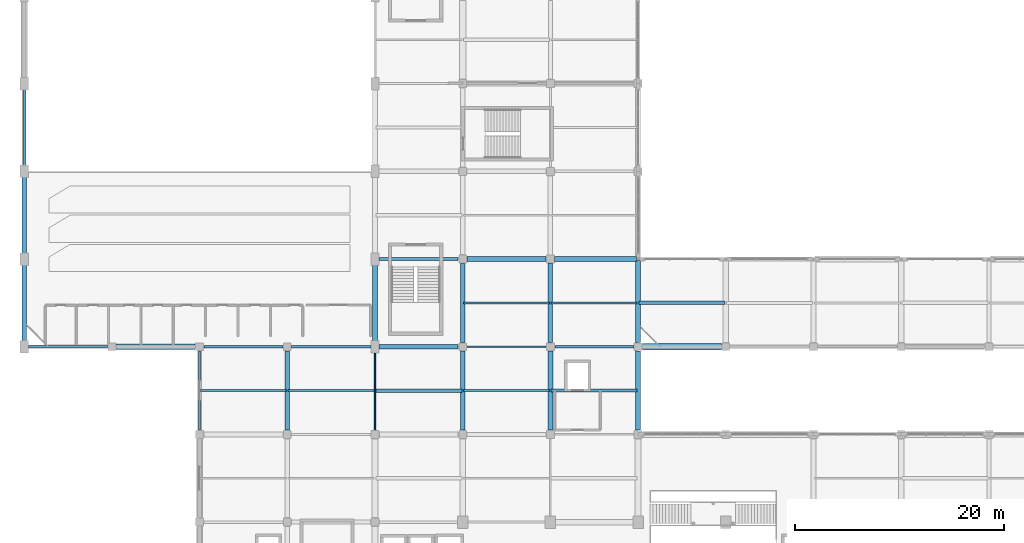
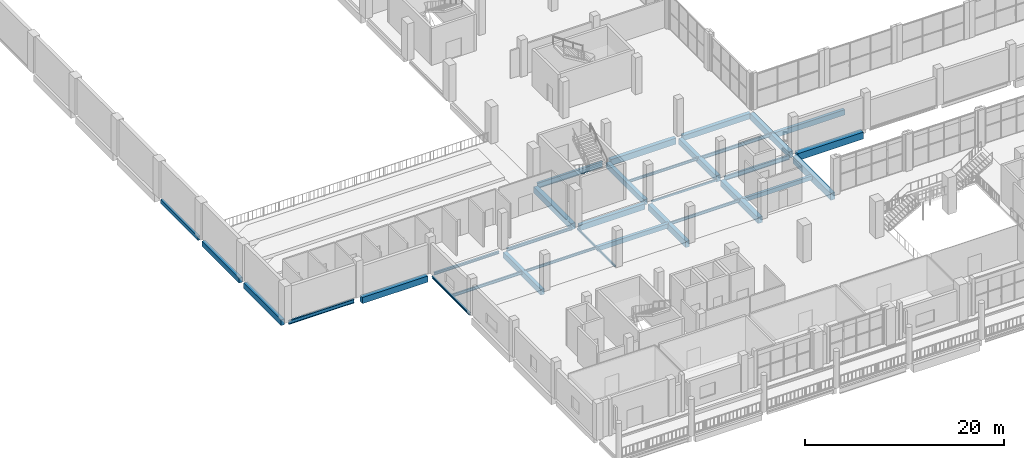
# One storey, part 19 of 75: 32 beams.
"""IFC4 building model written with IfcOpenShell, lengths in metres."""

from ifc_helpers import new_model, si_unit, derived_unit, direction, frame, origin, origin_2d, place, context, subcontext, project, spatial, rectangle, hollow_rectangle, i_section, extrude, material, material_profile, profile_set, type_object, element, save


model = new_model("IFC4")

# Units and contexts
model_context = context("Model", 3, precision=1e-05, world=origin(), true_north=direction((0.0, 1.0)))
body_context = subcontext(model_context, "Body", "Model", "MODEL_VIEW")
ifc_project = project(units=[si_unit("LENGTHUNIT", "METRE"), si_unit("AREAUNIT", "SQUARE_METRE"), si_unit("VOLUMEUNIT", "CUBIC_METRE"), si_unit("PLANEANGLEUNIT", "RADIAN"), si_unit("MASSUNIT", "GRAM", prefix="KILO"), derived_unit("THERMALTRANSMITTANCEUNIT", [(si_unit("POWERUNIT", "WATT"), 1), (si_unit("LENGTHUNIT", "METRE"), -2), (si_unit("THERMODYNAMICTEMPERATUREUNIT", "KELVIN"), -1)])], contexts=[model_context])

# Site, building, storey
site_placement = place(None, origin())
site = spatial("IfcSite", under=ifc_project, at=site_placement, CompositionType="ELEMENT")
building_placement = place(site_placement, origin())
building = spatial("IfcBuilding", under=site, at=building_placement, Name="Barrovel Congress Hotel", CompositionType="ELEMENT")
storey_placement = place(building_placement, frame((0.0, 0.0, 5.39990234375)))
storey = spatial("IfcBuildingStorey", under=building, at=storey_placement, Name="L01", CompositionType="ELEMENT", Elevation=5.39990234375)

# Beams
ifc_material_1 = material(Name="Concrete C40", Category="concrete")
ifc_material_profile_1 = material_profile(ifc_material_1, rectangle(XDim=0.25, YDim=0.5, at=origin_2d()), Name="RC250x500")
ifc_profile_set_1 = profile_set([ifc_material_profile_1], Name="Concrete C40")
beam_type_1 = type_object("IfcBeamType", Name="BM-RC250x500", PredefinedType="SPANDREL", material=ifc_profile_set_1)
beam_1_placement = place(storey_placement, frame((0.0, 55.050048828125, -0.510009765625), z_axis=(0.0, 1.0, 0.0), x_axis=(-1.0, 0.0, 0.0)))
element("IfcBeam", 1, at=beam_1_placement, inside=storey, type_object=beam_type_1, Name="BMY:L01:0.0:54.6-63.0", PredefinedType="SPANDREL", context=body_context, shape_type="SweptSolid", body=[
    extrude(rectangle(XDim=0.25, YDim=0.5, at=origin_2d()), origin(), (0.0, 0.0, 1.0), 7.5),
])
ifc_material_profile_2 = material_profile(ifc_material_1, rectangle(XDim=0.300048828125, YDim=0.5, at=origin_2d()), Name="RC300x500")
ifc_profile_set_2 = profile_set([ifc_material_profile_2], Name="Concrete C40")
beam_type_2 = type_object("IfcBeamType", Name="BM-RC300x500", PredefinedType="JOIST", material=ifc_profile_set_2)
beam_2_placement = place(storey_placement, frame((50.47998046875, 33.60009765625, -0.510009765625), z_axis=(1.0, 0.0, 0.0), x_axis=(0.0, 1.0, 0.0)))
element("IfcBeam", 2, at=beam_2_placement, inside=storey, type_object=beam_type_2, Name="JST:L01:50.4:33.6", PredefinedType="JOIST", context=body_context, shape_type="SweptSolid", body=[
    extrude(rectangle(XDim=0.300048828125, YDim=0.5, at=origin_2d()), origin(), (0.0, 0.0, 1.0), 8.239990234375),
])
ifc_material_profile_3 = material_profile(ifc_material_1, rectangle(XDim=0.35009765625, YDim=0.550048828125, at=origin_2d()), Name="RC350x550")
ifc_profile_set_3 = profile_set([ifc_material_profile_3], Name="Concrete C40")
beam_type_3 = type_object("IfcBeamType", Name="BM-RC350x550", PredefinedType="JOIST", material=ifc_profile_set_3)
beam_3_placement = place(storey_placement, frame((33.679931640625, 33.60009765625, -0.534912109375), z_axis=(1.0, 0.0, 0.0), x_axis=(0.0, 1.0, 0.0)))
element("IfcBeam", 3, at=beam_3_placement, inside=storey, type_object=beam_type_3, Name="JST:L01:33.6:33.6", PredefinedType="JOIST", context=body_context, shape_type="SweptSolid", body=[
    extrude(rectangle(XDim=0.35009765625, YDim=0.550048828125, at=origin_2d()), origin(), (0.0, 0.0, 1.0), 8.239990234375),
])
ifc_material_profile_4 = material_profile(ifc_material_1, rectangle(XDim=0.35009765625, YDim=0.64990234375, at=origin_2d()), Name="RC350x650")
ifc_profile_set_4 = profile_set([ifc_material_profile_4], Name="Concrete C40")
beam_type_4 = type_object("IfcBeamType", Name="BM-RC350x650", PredefinedType="JOIST", material=ifc_profile_set_4)
beam_4_placement = place(storey_placement, frame((58.8798828125, 42.0, -0.5849609375), z_axis=(1.0, 0.0, 0.0), x_axis=(0.0, 1.0, 0.0)))
element("IfcBeam", 4, at=beam_4_placement, inside=storey, type_object=beam_type_4, Name="JST:L01:58.8:42.0", PredefinedType="JOIST", context=body_context, shape_type="SweptSolid", body=[
    extrude(rectangle(XDim=0.35009765625, YDim=0.64990234375, at=origin_2d()), origin(), (0.0, 0.0, 1.0), 8.240234375),
])
ifc_material_profile_5 = material_profile(ifc_material_1, rectangle(XDim=0.39990234375, YDim=0.60009765625, at=origin_2d()), Name="RC400x600")
ifc_profile_set_5 = profile_set([ifc_material_profile_5], Name="Concrete C40")
beam_type_5 = type_object("IfcBeamType", Name="BM-RC400x600", PredefinedType="BEAM", material=ifc_profile_set_5)
beam_5_placement = place(storey_placement, frame((0.0, 46.64990234375, -0.559814453125), z_axis=(0.0, 1.0, 0.0), x_axis=(-1.0, 0.0, 0.0)))
element("IfcBeam", 5, at=beam_5_placement, inside=storey, type_object=beam_type_5, Name="BMY:L01:0.0:46.2-54.6", PredefinedType="BEAM", context=body_context, shape_type="SweptSolid", body=[
    extrude(rectangle(XDim=0.39990234375, YDim=0.60009765625, at=origin_2d()), origin(), (0.0, 0.0, 1.0), 7.5),
])
ifc_material_profile_6 = material_profile(ifc_material_1, rectangle(XDim=0.39990234375, YDim=0.699951171875, at=origin_2d()), Name="RC400x700")
ifc_profile_set_6 = profile_set([ifc_material_profile_6], Name="Concrete C40")
beam_type_6 = type_object("IfcBeamType", Name="BM-RC400x700", PredefinedType="BEAM", material=ifc_profile_set_6)
beam_6_placement = place(storey_placement, frame((34.0, 37.800048828125, -0.60986328125), z_axis=(1.0, 0.0, 0.0), x_axis=(0.0, 1.0, 0.0)))
element("IfcBeam", 6, at=beam_6_placement, inside=storey, type_object=beam_type_6, Name="BMX:L01:37.8:33.6-42.0", PredefinedType="BEAM", context=body_context, shape_type="SweptSolid", body=[
    extrude(rectangle(XDim=0.39990234375, YDim=0.699951171875, at=origin_2d()), origin(), (0.0, 0.0, 1.0), 7.574951171875),
])
beam_7_placement = place(storey_placement, frame((0.0, 38.25, -0.60986328125), z_axis=(0.0, 1.0, 0.0), x_axis=(-1.0, 0.0, 0.0)))
element("IfcBeam", 7, at=beam_7_placement, inside=storey, type_object=beam_type_6, Name="BMY:L01:0.0:37.8-46.2", PredefinedType="BEAM", context=body_context, shape_type="SweptSolid", body=[
    extrude(rectangle(XDim=0.39990234375, YDim=0.699951171875, at=origin_2d()), origin(), (0.0, 0.0, 1.0), 7.5),
])
beam_8_placement = place(storey_placement, frame((25.199951171875, 29.824951171875, -0.60986328125), z_axis=(0.0, 1.0, 0.0), x_axis=(-1.0, 0.0, 0.0)))
element("IfcBeam", 8, at=beam_8_placement, inside=storey, type_object=beam_type_6, Name="BMY:L01:25.2:29.4-37.8", PredefinedType="BEAM", context=body_context, shape_type="SweptSolid", body=[
    extrude(rectangle(XDim=0.39990234375, YDim=0.699951171875, at=origin_2d()), origin(), (0.0, 0.0, 1.0), 7.550048828125),
])
ifc_material_profile_7 = material_profile(ifc_material_1, rectangle(XDim=0.449951171875, YDim=0.64990234375, at=origin_2d()), Name="RC450x650")
ifc_profile_set_7 = profile_set([ifc_material_profile_7], Name="Concrete C40")
beam_type_7 = type_object("IfcBeamType", Name="BM-RC450x650", PredefinedType="BEAM", material=ifc_profile_set_7)
beam_9_placement = place(storey_placement, frame((50.800048828125, 46.199951171875, -0.5849609375), z_axis=(1.0, 0.0, 0.0), x_axis=(0.0, 1.0, 0.0)))
element("IfcBeam", 9, at=beam_9_placement, inside=storey, type_object=beam_type_7, Name="BMX:L01:46.2:50.4-58.8", PredefinedType="BEAM", context=body_context, shape_type="SweptSolid", body=[
    extrude(rectangle(XDim=0.449951171875, YDim=0.64990234375, at=origin_2d()), origin(), (0.0, 0.0, 1.0), 7.86328125),
])
beam_10_placement = place(storey_placement, frame((42.0, 38.22509765625, -0.5849609375), z_axis=(0.0, 1.0, 0.0), x_axis=(-1.0, 0.0, 0.0)))
element("IfcBeam", 10, at=beam_10_placement, inside=storey, type_object=beam_type_7, Name="BMY:L01:42.0:37.8-46.2", PredefinedType="BEAM", context=body_context, shape_type="SweptSolid", body=[
    extrude(rectangle(XDim=0.449951171875, YDim=0.64990234375, at=origin_2d()), origin(), (0.0, 0.0, 1.0), 7.5498046875),
])
ifc_material_profile_8 = material_profile(ifc_material_1, rectangle(XDim=0.449951171875, YDim=0.75, at=origin_2d()), Name="RC450x750")
ifc_profile_set_8 = profile_set([ifc_material_profile_8], Name="Concrete C40")
beam_type_8 = type_object("IfcBeamType", Name="BM-RC450x750", PredefinedType="BEAM", material=ifc_profile_set_8)
beam_11_placement = place(storey_placement, frame((42.425048828125, 46.199951171875, -0.635009765625), z_axis=(1.0, 0.0, 0.0), x_axis=(0.0, 1.0, 0.0)))
element("IfcBeam", 11, at=beam_11_placement, inside=storey, type_object=beam_type_8, Name="BMX:L01:46.2:42.0-50.4", PredefinedType="BEAM", context=body_context, shape_type="SweptSolid", body=[
    extrude(rectangle(XDim=0.449951171875, YDim=0.75, at=origin_2d()), origin(), (0.0, 0.0, 1.0), 7.574951171875),
])
beam_12_placement = place(storey_placement, frame((42.0, 29.824951171875, -0.635009765625), z_axis=(0.0, 1.0, 0.0), x_axis=(-1.0, 0.0, 0.0)))
element("IfcBeam", 12, at=beam_12_placement, inside=storey, type_object=beam_type_8, Name="BMY:L01:42.0:29.4-37.8", PredefinedType="BEAM", context=body_context, shape_type="SweptSolid", body=[
    extrude(rectangle(XDim=0.449951171875, YDim=0.75, at=origin_2d()), origin(), (0.0, 0.0, 1.0), 7.550048828125),
])
beam_13_placement = place(storey_placement, frame((50.39990234375, 38.22509765625, -0.635009765625), z_axis=(0.0, 1.0, 0.0), x_axis=(-1.0, 0.0, 0.0)))
element("IfcBeam", 13, at=beam_13_placement, inside=storey, type_object=beam_type_8, Name="BMY:L01:50.4:37.8-46.2", PredefinedType="BEAM", context=body_context, shape_type="SweptSolid", body=[
    extrude(rectangle(XDim=0.449951171875, YDim=0.75, at=origin_2d()), origin(), (0.0, 0.0, 1.0), 7.574951171875),
])
ifc_material_profile_9 = material_profile(ifc_material_1, rectangle(XDim=0.5, YDim=0.75, at=origin_2d()), Name="RC500x750")
ifc_profile_set_9 = profile_set([ifc_material_profile_9], Name="Concrete C40")
beam_type_9 = type_object("IfcBeamType", Name="BM-RC500x750", PredefinedType="BEAM", material=ifc_profile_set_9)
beam_14_placement = place(storey_placement, frame((8.800048828125, 37.800048828125, -0.635009765625), z_axis=(1.0, 0.0, 0.0), x_axis=(0.0, 1.0, 0.0)))
element("IfcBeam", 14, at=beam_14_placement, inside=storey, type_object=beam_type_9, Name="BMX:L01:37.8:8.4-16.8", PredefinedType="BEAM", context=body_context, shape_type="SweptSolid", body=[
    extrude(rectangle(XDim=0.5, YDim=0.75, at=origin_2d()), origin(), (0.0, 0.0, 1.0), 7.574951171875),
])
beam_15_placement = place(storey_placement, frame((33.60009765625, 38.25, -0.635009765625), z_axis=(0.0, 1.0, 0.0), x_axis=(-1.0, 0.0, 0.0)))
element("IfcBeam", 15, at=beam_15_placement, inside=storey, type_object=beam_type_9, Name="BMY:L01:33.6:37.8-46.2", PredefinedType="BEAM", context=body_context, shape_type="SweptSolid", body=[
    extrude(rectangle(XDim=0.5, YDim=0.75, at=origin_2d()), origin(), (0.0, 0.0, 1.0), 7.5),
])
beam_16_placement = place(storey_placement, frame((50.39990234375, 29.824951171875, -0.635009765625), z_axis=(0.0, 1.0, 0.0), x_axis=(-1.0, 0.0, 0.0)))
element("IfcBeam", 16, at=beam_16_placement, inside=storey, type_object=beam_type_9, Name="BMY:L01:50.4:29.4-37.8", PredefinedType="BEAM", context=body_context, shape_type="SweptSolid", body=[
    extrude(rectangle(XDim=0.5, YDim=0.75, at=origin_2d()), origin(), (0.0, 0.0, 1.0), 7.550048828125),
])
beam_17_placement = place(storey_placement, frame((58.800048828125, 38.199951171875, -0.635009765625), z_axis=(0.0, 1.0, 0.0), x_axis=(-1.0, 0.0, 0.0)))
element("IfcBeam", 17, at=beam_17_placement, inside=storey, type_object=beam_type_9, Name="BMY:L01:58.8:37.8-46.2", PredefinedType="BEAM", context=body_context, shape_type="SweptSolid", body=[
    extrude(rectangle(XDim=0.5, YDim=0.75, at=origin_2d()), origin(), (0.0, 0.0, 1.0), 7.863525390625),
])
ifc_material_profile_10 = material_profile(ifc_material_1, rectangle(XDim=0.5, YDim=0.85009765625, at=origin_2d()), Name="RC500x850")
ifc_profile_set_10 = profile_set([ifc_material_profile_10], Name="Concrete C40")
beam_type_10 = type_object("IfcBeamType", Name="BM-RC500x850", PredefinedType="BEAM", material=ifc_profile_set_10)
beam_18_placement = place(storey_placement, frame((58.800048828125, 29.824951171875, -0.684814453125), z_axis=(0.0, 1.0, 0.0), x_axis=(-1.0, 0.0, 0.0)))
element("IfcBeam", 18, at=beam_18_placement, inside=storey, type_object=beam_type_10, Name="BMY:L01:58.8:29.4-37.8", PredefinedType="BEAM", context=body_context, shape_type="SweptSolid", body=[
    extrude(rectangle(XDim=0.5, YDim=0.85009765625, at=origin_2d()), origin(), (0.0, 0.0, 1.0), 7.574951171875),
])
ifc_material_profile_11 = material_profile(ifc_material_1, rectangle(XDim=0.60009765625, YDim=0.85009765625, at=origin_2d()), Name="RC600x850")
ifc_profile_set_11 = profile_set([ifc_material_profile_11], Name="Concrete C40")
beam_type_11 = type_object("IfcBeamType", Name="BM-RC600x850", PredefinedType="BEAM", material=ifc_profile_set_11)
beam_19_placement = place(storey_placement, frame((59.199951171875, 37.800048828125, -0.684814453125), z_axis=(1.0, 0.0, 0.0), x_axis=(0.0, 1.0, 0.0)))
element("IfcBeam", 19, at=beam_19_placement, inside=storey, type_object=beam_type_11, Name="BMX:L01:37.8:58.8-67.2", PredefinedType="BEAM", context=body_context, shape_type="SweptSolid", body=[
    extrude(rectangle(XDim=0.60009765625, YDim=0.85009765625, at=origin_2d()), origin(), (0.0, 0.0, 1.0), 7.574951171875),
])
ifc_material_2 = material(Name="Steel ASTM A500 Grade C", Category="steel")
ifc_material_profile_12 = material_profile(ifc_material_2, hollow_rectangle(XDim=0.15234375, YDim=0.25390625, WallThickness=0.0087890625, InnerFilletRadius=0.0087890625, OuterFilletRadius=0.017578125, at=origin_2d()), Name="HSS254x152x9.5")
ifc_profile_set_12 = profile_set([ifc_material_profile_12], Name="Steel ASTM A500 Grade C")
beam_type_12 = type_object("IfcBeamType", Name="SBM-HSS254x152x9.5", PredefinedType="SPANDREL", material=ifc_profile_set_12)
beam_20_placement = place(storey_placement, frame((42.425048828125, 37.800048828125, -0.386962890625), z_axis=(1.0, 0.0, 0.0), x_axis=(0.0, 1.0, 0.0)))
element("IfcBeam", 20, at=beam_20_placement, inside=storey, type_object=beam_type_12, Name="BMX:L01:37.8:42.0-50.4", PredefinedType="SPANDREL", context=body_context, shape_type="SweptSolid", body=[
    extrude(hollow_rectangle(XDim=0.15234375, YDim=0.25390625, WallThickness=0.0087890625, InnerFilletRadius=0.0087890625, OuterFilletRadius=0.017578125, at=origin_2d()), origin(), (0.0, 0.0, 1.0), 7.550048828125),
])
beam_21_placement = place(storey_placement, frame((33.60009765625, 29.824951171875, -0.386962890625), z_axis=(0.0, 1.0, 0.0), x_axis=(-1.0, 0.0, 0.0)))
element("IfcBeam", 21, at=beam_21_placement, inside=storey, type_object=beam_type_12, Name="BMY:L01:33.6:29.4-37.8", PredefinedType="SPANDREL", context=body_context, shape_type="SweptSolid", body=[
    extrude(hollow_rectangle(XDim=0.15234375, YDim=0.25390625, WallThickness=0.0087890625, InnerFilletRadius=0.0087890625, OuterFilletRadius=0.017578125, at=origin_2d()), origin(), (0.0, 0.0, 1.0), 7.525146484375),
])
ifc_material_3 = material(Name="Steel ASTM A992 Grade 50", Category="steel")
ifc_material_profile_13 = material_profile(ifc_material_3, i_section(OverallWidth=0.201904296875, OverallDepth=0.2470703125, WebThickness=0.00732421875, FlangeThickness=0.010986328125, FilletRadius=0.011962890625, at=origin_2d()), Name="W250x49")
ifc_profile_set_13 = profile_set([ifc_material_profile_13], Name="Steel ASTM A992 Grade 50")
beam_type_13 = type_object("IfcBeamType", Name="SBM-W250x49", PredefinedType="SPANDREL", material=ifc_profile_set_13)
beam_22_placement = place(storey_placement, frame((16.800048828125, 29.824951171875, -0.38330078125), z_axis=(0.0, 1.0, 0.0), x_axis=(-1.0, 0.0, 0.0)))
element("IfcBeam", 22, at=beam_22_placement, inside=storey, type_object=beam_type_13, Name="BMY:L01:16.8:29.4-37.8", PredefinedType="SPANDREL", context=body_context, shape_type="SweptSolid", body=[
    extrude(i_section(OverallWidth=0.201904296875, OverallDepth=0.2470703125, WebThickness=0.00732421875, FlangeThickness=0.010986328125, FilletRadius=0.011962890625, at=origin_2d()), origin(), (0.0, 0.0, 1.0), 7.550048828125),
])
ifc_material_profile_14 = material_profile(ifc_material_3, i_section(OverallWidth=0.1650390625, OverallDepth=0.31005859375, WebThickness=0.005859375, FlangeThickness=0.009765625, FilletRadius=0.010986328125, at=origin_2d()), Name="W310x39")
ifc_profile_set_14 = profile_set([ifc_material_profile_14], Name="Steel ASTM A992 Grade 50")
beam_type_14 = type_object("IfcBeamType", Name="SBM-W310x39", PredefinedType="JOIST", material=ifc_profile_set_14)
beam_23_placement = place(storey_placement, frame((25.280029296875, 33.60009765625, -0.414794921875), z_axis=(1.0, 0.0, 0.0), x_axis=(0.0, 1.0, 0.0)))
element("IfcBeam", 23, at=beam_23_placement, inside=storey, type_object=beam_type_14, Name="JST:L01:25.2:33.6", PredefinedType="JOIST", context=body_context, shape_type="SweptSolid", body=[
    extrude(i_section(OverallWidth=0.1650390625, OverallDepth=0.31005859375, WebThickness=0.005859375, FlangeThickness=0.009765625, FilletRadius=0.010986328125, at=origin_2d()), origin(), (0.0, 0.0, 1.0), 8.239990234375),
])
ifc_material_profile_15 = material_profile(ifc_material_3, i_section(OverallWidth=0.1669921875, OverallDepth=0.31689453125, WebThickness=0.007568359375, FlangeThickness=0.01318359375, FilletRadius=0.010986328125, at=origin_2d()), Name="W310x52")
ifc_profile_set_15 = profile_set([ifc_material_profile_15], Name="Steel ASTM A992 Grade 50")
beam_type_15 = type_object("IfcBeamType", Name="SBM-W310x52", PredefinedType="JOIST", material=ifc_profile_set_15)
beam_24_placement = place(storey_placement, frame((42.080078125, 42.0, -0.41845703125), z_axis=(1.0, 0.0, 0.0), x_axis=(0.0, 1.0, 0.0)))
element("IfcBeam", 24, at=beam_24_placement, inside=storey, type_object=beam_type_15, Name="JST:L01:42.0:42.0", PredefinedType="JOIST", context=body_context, shape_type="SweptSolid", body=[
    extrude(i_section(OverallWidth=0.1669921875, OverallDepth=0.31689453125, WebThickness=0.007568359375, FlangeThickness=0.01318359375, FilletRadius=0.010986328125, at=origin_2d()), origin(), (0.0, 0.0, 1.0), 8.239990234375),
])
ifc_material_profile_16 = material_profile(ifc_material_3, i_section(OverallWidth=0.205078125, OverallDepth=0.31005859375, WebThickness=0.009521484375, FlangeThickness=0.016357421875, FilletRadius=0.012939453125, at=origin_2d()), Name="W310x74")
ifc_profile_set_16 = profile_set([ifc_material_profile_16], Name="Steel ASTM A992 Grade 50")
beam_type_16 = type_object("IfcBeamType", Name="SBM-W310x74", PredefinedType="SPANDREL", material=ifc_profile_set_16)
beam_25_placement = place(storey_placement, frame((17.22509765625, 37.800048828125, -0.414794921875), z_axis=(1.0, 0.0, 0.0), x_axis=(0.0, 1.0, 0.0)))
element("IfcBeam", 25, at=beam_25_placement, inside=storey, type_object=beam_type_16, Name="BMX:L01:37.8:16.8-25.2", PredefinedType="SPANDREL", context=body_context, shape_type="SweptSolid", body=[
    extrude(i_section(OverallWidth=0.205078125, OverallDepth=0.31005859375, WebThickness=0.009521484375, FlangeThickness=0.016357421875, FilletRadius=0.012939453125, at=origin_2d()), origin(), (0.0, 0.0, 1.0), 7.5498046875),
])
ifc_material_profile_17 = material_profile(ifc_material_3, i_section(OverallWidth=0.1708984375, OverallDepth=0.35205078125, WebThickness=0.0068359375, FlangeThickness=0.009765625, FilletRadius=0.011962890625, at=origin_2d()), Name="W360x44")
ifc_profile_set_17 = profile_set([ifc_material_profile_17], Name="Steel ASTM A992 Grade 50")
beam_type_17 = type_object("IfcBeamType", Name="SBM-W360x44", PredefinedType="JOIST", material=ifc_profile_set_17)
beam_26_placement = place(storey_placement, frame((42.080078125, 33.60009765625, -0.435791015625), z_axis=(1.0, 0.0, 0.0), x_axis=(0.0, 1.0, 0.0)))
element("IfcBeam", 26, at=beam_26_placement, inside=storey, type_object=beam_type_17, Name="JST:L01:42.0:33.6", PredefinedType="JOIST", context=body_context, shape_type="SweptSolid", body=[
    extrude(i_section(OverallWidth=0.1708984375, OverallDepth=0.35205078125, WebThickness=0.0068359375, FlangeThickness=0.009765625, FilletRadius=0.011962890625, at=origin_2d()), origin(), (0.0, 0.0, 1.0), 8.239990234375),
])
ifc_material_profile_18 = material_profile(ifc_material_3, i_section(OverallWidth=0.172119140625, OverallDepth=0.35791015625, WebThickness=0.0078125, FlangeThickness=0.01318359375, FilletRadius=0.011962890625, at=origin_2d()), Name="W360x57")
ifc_profile_set_18 = profile_set([ifc_material_profile_18], Name="Steel ASTM A992 Grade 50")
beam_type_18 = type_object("IfcBeamType", Name="SBM-W360x57", PredefinedType="JOIST", material=ifc_profile_set_18)
beam_27_placement = place(storey_placement, frame((16.8798828125, 33.60009765625, -0.43896484375), z_axis=(1.0, 0.0, 0.0), x_axis=(0.0, 1.0, 0.0)))
element("IfcBeam", 27, at=beam_27_placement, inside=storey, type_object=beam_type_18, Name="JST:L01:16.8:33.6", PredefinedType="JOIST", context=body_context, shape_type="SweptSolid", body=[
    extrude(i_section(OverallWidth=0.172119140625, OverallDepth=0.35791015625, WebThickness=0.0078125, FlangeThickness=0.01318359375, FilletRadius=0.011962890625, at=origin_2d()), origin(), (0.0, 0.0, 1.0), 8.240234375),
])
ifc_material_profile_19 = material_profile(ifc_material_3, i_section(OverallWidth=0.205078125, OverallDepth=0.35400390625, WebThickness=0.009521484375, FlangeThickness=0.016845703125, FilletRadius=0.012939453125, at=origin_2d()), Name="W360x79")
ifc_profile_set_19 = profile_set([ifc_material_profile_19], Name="Steel ASTM A992 Grade 50")
beam_type_19 = type_object("IfcBeamType", Name="SBM-W360x79", PredefinedType="BEAM", material=ifc_profile_set_19)
beam_28_placement = place(storey_placement, frame((25.625, 37.800048828125, -0.43701171875), z_axis=(1.0, 0.0, 0.0), x_axis=(0.0, 1.0, 0.0)))
element("IfcBeam", 28, at=beam_28_placement, inside=storey, type_object=beam_type_19, Name="BMX:L01:37.8:25.2-33.6", PredefinedType="BEAM", context=body_context, shape_type="SweptSolid", body=[
    extrude(i_section(OverallWidth=0.205078125, OverallDepth=0.35400390625, WebThickness=0.009521484375, FlangeThickness=0.016845703125, FilletRadius=0.012939453125, at=origin_2d()), origin(), (0.0, 0.0, 1.0), 7.574951171875),
])
ifc_material_profile_20 = material_profile(ifc_material_3, i_section(OverallWidth=0.177001953125, OverallDepth=0.403076171875, WebThickness=0.007568359375, FlangeThickness=0.010986328125, FilletRadius=0.011962890625, at=origin_2d()), Name="W410x53")
ifc_profile_set_20 = profile_set([ifc_material_profile_20], Name="Steel ASTM A992 Grade 50")
beam_type_20 = type_object("IfcBeamType", Name="SBM-W410x53", PredefinedType="JOIST", material=ifc_profile_set_20)
beam_29_placement = place(storey_placement, frame((50.47998046875, 42.0, -0.46142578125), z_axis=(1.0, 0.0, 0.0), x_axis=(0.0, 1.0, 0.0)))
element("IfcBeam", 29, at=beam_29_placement, inside=storey, type_object=beam_type_20, Name="JST:L01:50.4:42.0", PredefinedType="JOIST", context=body_context, shape_type="SweptSolid", body=[
    extrude(i_section(OverallWidth=0.177001953125, OverallDepth=0.403076171875, WebThickness=0.007568359375, FlangeThickness=0.010986328125, FilletRadius=0.011962890625, at=origin_2d()), origin(), (0.0, 0.0, 1.0), 8.239990234375),
])
ifc_material_profile_21 = material_profile(ifc_material_3, i_section(OverallWidth=0.19091796875, OverallDepth=0.4599609375, WebThickness=0.010009765625, FlangeThickness=0.01611328125, FilletRadius=0.012939453125, at=origin_2d()), Name="W460x82")
ifc_profile_set_21 = profile_set([ifc_material_profile_21], Name="Steel ASTM A992 Grade 50")
beam_type_21 = type_object("IfcBeamType", Name="SBM-W460x82", PredefinedType="BEAM", material=ifc_profile_set_21)
beam_30_placement = place(storey_placement, frame((0.39990234375, 37.800048828125, -0.489990234375), z_axis=(1.0, 0.0, 0.0), x_axis=(0.0, 1.0, 0.0)))
element("IfcBeam", 30, at=beam_30_placement, inside=storey, type_object=beam_type_21, Name="BMX:L01:37.8:0.0-8.4", PredefinedType="BEAM", context=body_context, shape_type="SweptSolid", body=[
    extrude(i_section(OverallWidth=0.19091796875, OverallDepth=0.4599609375, WebThickness=0.010009765625, FlangeThickness=0.01611328125, FilletRadius=0.012939453125, at=origin_2d()), origin(), (0.0, 0.0, 1.0), 7.60009765625),
])
ifc_material_profile_22 = material_profile(ifc_material_3, i_section(OverallWidth=0.208984375, OverallDepth=0.532958984375, WebThickness=0.01025390625, FlangeThickness=0.015625, FilletRadius=0.013916015625, at=origin_2d()), Name="W530x92")
ifc_profile_set_22 = profile_set([ifc_material_profile_22], Name="Steel ASTM A992 Grade 50")
beam_type_22 = type_object("IfcBeamType", Name="SBM-W530x92", PredefinedType="BEAM", material=ifc_profile_set_22)
beam_31_placement = place(storey_placement, frame((50.824951171875, 37.800048828125, -0.5263671875), z_axis=(1.0, 0.0, 0.0), x_axis=(0.0, 1.0, 0.0)))
element("IfcBeam", 31, at=beam_31_placement, inside=storey, type_object=beam_type_22, Name="BMX:L01:37.8:50.4-58.8", PredefinedType="BEAM", context=body_context, shape_type="SweptSolid", body=[
    extrude(i_section(OverallWidth=0.208984375, OverallDepth=0.532958984375, WebThickness=0.01025390625, FlangeThickness=0.015625, FilletRadius=0.013916015625, at=origin_2d()), origin(), (0.0, 0.0, 1.0), 7.574951171875),
])
ifc_material_profile_23 = material_profile(ifc_material_3, i_section(OverallWidth=0.25390625, OverallDepth=0.68408203125, WebThickness=0.012451171875, FlangeThickness=0.01904296875, FilletRadius=0.014892578125, at=origin_2d()), Name="W690x140")
ifc_profile_set_23 = profile_set([ifc_material_profile_23], Name="Steel ASTM A992 Grade 50")
beam_type_23 = type_object("IfcBeamType", Name="SBM-W690x140", PredefinedType="BEAM", material=ifc_profile_set_23)
beam_32_placement = place(storey_placement, frame((34.0, 46.199951171875, -0.601806640625), z_axis=(1.0, 0.0, 0.0), x_axis=(0.0, 1.0, 0.0)))
element("IfcBeam", 32, at=beam_32_placement, inside=storey, type_object=beam_type_23, Name="BMX:L01:46.2:33.6-42.0", PredefinedType="BEAM", context=body_context, shape_type="SweptSolid", body=[
    extrude(i_section(OverallWidth=0.25390625, OverallDepth=0.68408203125, WebThickness=0.012451171875, FlangeThickness=0.01904296875, FilletRadius=0.014892578125, at=origin_2d()), origin(), (0.0, 0.0, 1.0), 7.574951171875),
])

save(model, "model.ifc")
